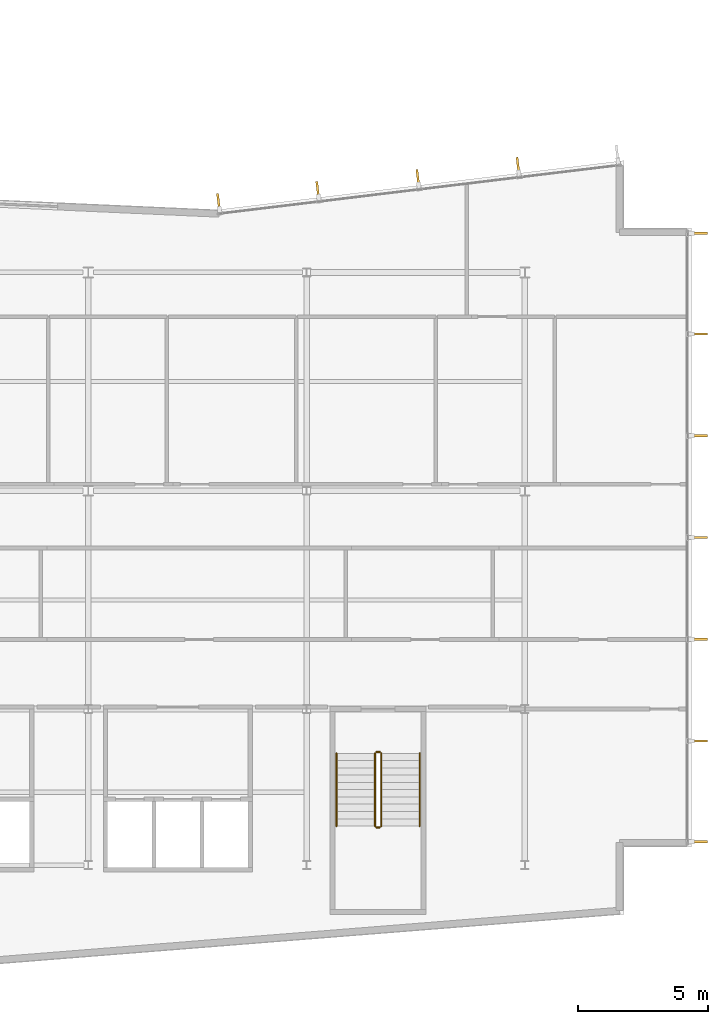
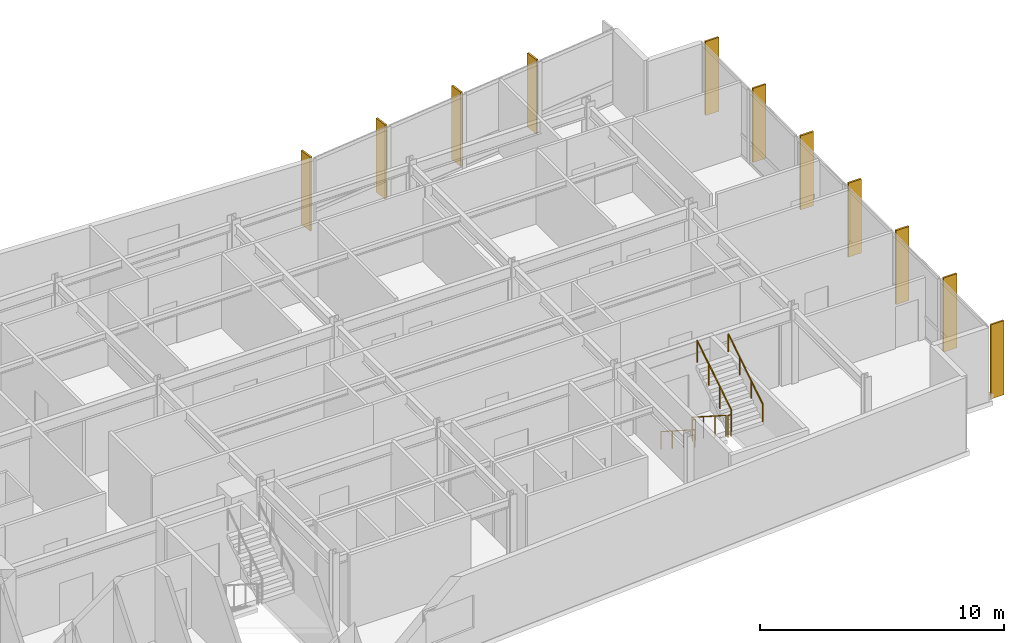
# One storey, part 16 of 18: 11 shading devices, 6 railings.
"""IFC4 building model written with IfcOpenShell, lengths in metres."""

from ifc_helpers import new_model, si_unit, direction, frame, origin, origin_2d, place, context, subcontext, project, spatial, rectangle, circle, extrude, material, layer, layer_set, type_object, element, save


model = new_model("IFC4")

# Units and contexts
model_context = context("Model", 3, precision=1e-05, world=origin(), true_north=direction((0.0, 1.0)))
body_context = subcontext(model_context, "Body", "Model", "MODEL_VIEW")
ifc_project = project(units=[si_unit("LENGTHUNIT", "METRE"), si_unit("AREAUNIT", "SQUARE_METRE"), si_unit("VOLUMEUNIT", "CUBIC_METRE"), si_unit("PLANEANGLEUNIT", "RADIAN"), si_unit("MASSUNIT", "GRAM", prefix="KILO")], contexts=[model_context])

# Site, building, storey
site_placement = place(None, origin())
site = spatial("IfcSite", under=ifc_project, at=site_placement, CompositionType="ELEMENT")
building_placement = place(site_placement, origin())
building = spatial("IfcBuilding", under=site, at=building_placement, Name="Varnakote Quay Hospital", CompositionType="ELEMENT")
storey_placement = place(building_placement, frame((0.0, 0.0, 107.300048828125)))
storey = spatial("IfcBuildingStorey", under=building, at=storey_placement, Name="L26", CompositionType="ELEMENT", Elevation=107.300048828125)

# Railings
ifc_material_1 = material(Name="Brushed stainless steel balustrade", Category="steel")
railing_type_1 = type_object("IfcRailingType", Name="RLG-STAIR-GUARD-1150", PredefinedType="GUARDRAIL", material=ifc_material_1)
railing_1_placement = place(storey_placement, frame((44.6298828125, 10.300048828125, 0.179443359375)))
element("IfcRailing", 1, at=railing_1_placement, inside=storey, type_object=railing_type_1, Name="L26 ST-03 stair guard 1", PredefinedType="GUARDRAIL", context=body_context, shape_type="SweptSolid", body=[
    extrude(circle(Radius=0.02392578125, at=origin_2d()), frame((0.0, 0.0, 1.076171875), z_axis=(0.0, -0.841809871826, 0.539774156196), x_axis=(1.0, 0.0, 0.0)), (0.0, 0.0, 1.0), 3.326171875),
    extrude(circle(Radius=0.02099609375, at=origin_2d()), origin(), (0.0, 0.0, 1.0), 1.052001953125),
    extrude(circle(Radius=0.02099609375, at=origin_2d()), frame((0.0, -0.933349609375, 0.598388671875)), (0.0, 0.0, 1.0), 1.052001953125),
    extrude(circle(Radius=0.02099609375, at=origin_2d()), frame((0.0, -1.86669921875, 1.197021484375)), (0.0, 0.0, 1.0), 1.052001953125),
    extrude(circle(Radius=0.02099609375, at=origin_2d()), frame((0.0, -2.800048828125, 1.79541015625)), (0.0, 0.0, 1.0), 1.052001953125),
])
railing_2_placement = place(storey_placement, frame((44.679931640625, 7.449951171875, 1.974853515625)))
element("IfcRailing", 2, at=railing_2_placement, inside=storey, type_object=railing_type_1, Name="L26 ST-03 stair guard 2", PredefinedType="GUARDRAIL", context=body_context, shape_type="SweptSolid", body=[
    extrude(circle(Radius=0.02392578125, at=origin_2d()), frame((0.0, 0.0, 1.076171875), z_axis=(1.0, 0.0, 0.0), x_axis=(0.0, 1.0, 0.0)), (0.0, 0.0, 1.0), 0.14013671875),
    extrude(circle(Radius=0.02099609375, at=origin_2d()), origin(), (0.0, 0.0, 1.0), 1.052001953125),
    extrude(circle(Radius=0.02099609375, at=origin_2d()), frame((0.14013671875, 0.0, 0.0)), (0.0, 0.0, 1.0), 1.052001953125),
])
railing_3_placement = place(storey_placement, frame((44.8701171875, 7.5, 2.154541015625)))
element("IfcRailing", 3, at=railing_3_placement, inside=storey, type_object=railing_type_1, Name="L26 ST-03 stair guard 3", PredefinedType="GUARDRAIL", context=body_context, shape_type="SweptSolid", body=[
    extrude(circle(Radius=0.02392578125, at=origin_2d()), frame((0.0, 0.0, 1.076171875), z_axis=(0.0, 0.841809871826, 0.539774156196), x_axis=(-1.0, 0.0, 0.0)), (0.0, 0.0, 1.0), 3.326171875),
    extrude(circle(Radius=0.02099609375, at=origin_2d()), origin(), (0.0, 0.0, 1.0), 1.052001953125),
    extrude(circle(Radius=0.02099609375, at=origin_2d()), frame((0.0, 0.933349609375, 0.598388671875)), (0.0, 0.0, 1.0), 1.052001953125),
    extrude(circle(Radius=0.02099609375, at=origin_2d()), frame((0.0, 1.86669921875, 1.197021484375)), (0.0, 0.0, 1.0), 1.052001953125),
    extrude(circle(Radius=0.02099609375, at=origin_2d()), frame((0.0, 2.800048828125, 1.79541015625)), (0.0, 0.0, 1.0), 1.052001953125),
])
railing_4_placement = place(storey_placement, frame((44.679931640625, 10.35009765625, 0.0)))
element("IfcRailing", 4, at=railing_4_placement, inside=storey, type_object=railing_type_1, Name="L26 ST-03 stair guard 4", PredefinedType="GUARDRAIL", context=body_context, shape_type="SweptSolid", body=[
    extrude(circle(Radius=0.02392578125, at=origin_2d()), frame((0.0, 0.0, 1.076171875), z_axis=(1.0, 0.0, 0.0), x_axis=(0.0, 1.0, 0.0)), (0.0, 0.0, 1.0), 0.14013671875),
    extrude(circle(Radius=0.02099609375, at=origin_2d()), origin(), (0.0, 0.0, 1.0), 1.052001953125),
    extrude(circle(Radius=0.02099609375, at=origin_2d()), frame((0.14013671875, 0.0, 0.0)), (0.0, 0.0, 1.0), 1.052001953125),
])
ifc_material_2 = material(Name="Brushed stainless steel handrail", Category="steel")
railing_type_2 = type_object("IfcRailingType", Name="RLG-STAIR-HND-920", PredefinedType="HANDRAIL", material=ifc_material_2)
railing_5_placement = place(storey_placement, frame((43.14990234375, 10.300048828125, 0.179443359375)))
element("IfcRailing", 5, at=railing_5_placement, inside=storey, type_object=railing_type_2, Name="L26 ST-03 stair handrail 1", PredefinedType="HANDRAIL", context=body_context, shape_type="SweptSolid", body=[
    extrude(circle(Radius=0.02392578125, at=origin_2d()), frame((0.0, 0.0, 0.8759765625), z_axis=(0.0, -0.841809871826, 0.539774156196), x_axis=(1.0, 0.0, 0.0)), (0.0, 0.0, 1.0), 3.326171875),
    extrude(circle(Radius=0.02099609375, at=origin_2d()), origin(), (0.0, 0.0, 1.0), 0.851806640625),
    extrude(circle(Radius=0.02099609375, at=origin_2d()), frame((0.0, -0.933349609375, 0.598388671875)), (0.0, 0.0, 1.0), 0.851806640625),
    extrude(circle(Radius=0.02099609375, at=origin_2d()), frame((0.0, -1.86669921875, 1.197021484375)), (0.0, 0.0, 1.0), 0.851806640625),
    extrude(circle(Radius=0.02099609375, at=origin_2d()), frame((0.0, -2.800048828125, 1.79541015625)), (0.0, 0.0, 1.0), 0.851806640625),
])
railing_6_placement = place(storey_placement, frame((46.35009765625, 7.5, 2.154541015625)))
element("IfcRailing", 6, at=railing_6_placement, inside=storey, type_object=railing_type_2, Name="L26 ST-03 stair handrail 2", PredefinedType="HANDRAIL", context=body_context, shape_type="SweptSolid", body=[
    extrude(circle(Radius=0.02392578125, at=origin_2d()), frame((0.0, 0.0, 0.8759765625), z_axis=(0.0, 0.841809871826, 0.539774156196), x_axis=(-1.0, 0.0, 0.0)), (0.0, 0.0, 1.0), 3.326171875),
    extrude(circle(Radius=0.02099609375, at=origin_2d()), origin(), (0.0, 0.0, 1.0), 0.851806640625),
    extrude(circle(Radius=0.02099609375, at=origin_2d()), frame((0.0, 0.933349609375, 0.598388671875)), (0.0, 0.0, 1.0), 0.851806640625),
    extrude(circle(Radius=0.02099609375, at=origin_2d()), frame((0.0, 1.86669921875, 1.197021484375)), (0.0, 0.0, 1.0), 0.851806640625),
    extrude(circle(Radius=0.02099609375, at=origin_2d()), frame((0.0, 2.800048828125, 1.79541015625)), (0.0, 0.0, 1.0), 0.851806640625),
])

# Shading devices
ifc_material_3 = material(Name="Anodised aluminium 6063-T6 Bronze", Category="aluminium")
ifc_layer = layer(ifc_material_3, 0.0849609375)
ifc_layer_set = layer_set([ifc_layer], Name="Anodised aluminium 6063-T6 Bronze")
shading_device_type = type_object("IfcShadingDeviceType", Name="SHD-BRONZE-FIN-620", PredefinedType="USERDEFINED", material=ifc_layer_set)
for number, where, z_axis, x_axis, name in (
    (7, (57.110107421875, 6.8974609375, 0.0), (0.0, 0.0, 1.0), (-1.0, 0.0, 0.0), "L26 Anodised Bronze Vertical Shading FIN"),
    (8, (57.110107421875, 10.773193359375, 0.0), (0.0, 0.0, 1.0), (-1.0, 0.0, 0.0), "L26 Anodised Bronze Vertical Shading FIN"),
    (9, (57.110107421875, 14.686767578125, 0.0), (0.0, 0.0, 1.0), (-1.0, 0.0, 0.0), "L26 Anodised Bronze Vertical Shading FIN"),
    (10, (57.110107421875, 18.60009765625, 0.0), (0.0, 0.0, 1.0), (-1.0, 0.0, 0.0), "L26 Anodised Bronze Vertical Shading FIN"),
    (11, (57.110107421875, 22.51318359375, 0.0), (0.0, 0.0, 1.0), (-1.0, 0.0, 0.0), "L26 Anodised Bronze Vertical Shading FIN"),
    (12, (57.110107421875, 26.4267578125, 0.0), (0.0, 0.0, 1.0), (-1.0, 0.0, 0.0), "L26 Anodised Bronze Vertical Shading FIN"),
    (13, (57.110107421875, 30.302490234375, 0.0), (0.0, 0.0, 1.0), (-1.0, 0.0, 0.0), "L26 Anodised Bronze Vertical Shading FIN"),
    (14, (50.131103515625, 32.9189453125, 0.0), (0.0, 0.0, 1.0), (0.120310105847, -0.992736358975, 0.0), "L26 Anodised Bronze Vertical Shading FIN"),
    (15, (46.278564453125, 32.4521484375, 0.0), (0.0, 0.0, 1.0), (0.120310105847, -0.992736358975, 0.0), "L26 Anodised Bronze Vertical Shading FIN"),
    (16, (42.426025390625, 31.985107421875, 0.0), (0.0, 0.0, 1.0), (0.120310105847, -0.992736358975, 0.0), "L26 Anodised Bronze Vertical Shading FIN"),
    (17, (38.61083984375, 31.522705078125, 0.0), (0.0, 0.0, 1.0), (0.120310105847, -0.992736358975, 0.0), "L26 Anodised Bronze Vertical Shading FIN"),
):
    element("IfcShadingDevice", number, at=place(storey_placement, frame(where, z_axis=z_axis, x_axis=x_axis)), inside=storey, type_object=shading_device_type, Name=name, ObjectType="FIN", PredefinedType="USERDEFINED", context=body_context, shape_type="SweptSolid", body=[
        extrude(rectangle(XDim=0.6201171875, YDim=0.0849609375, at=origin_2d()), origin(), (0.0, 0.0, 1.0), 3.7099609375),
    ])

save(model, "model.ifc")
